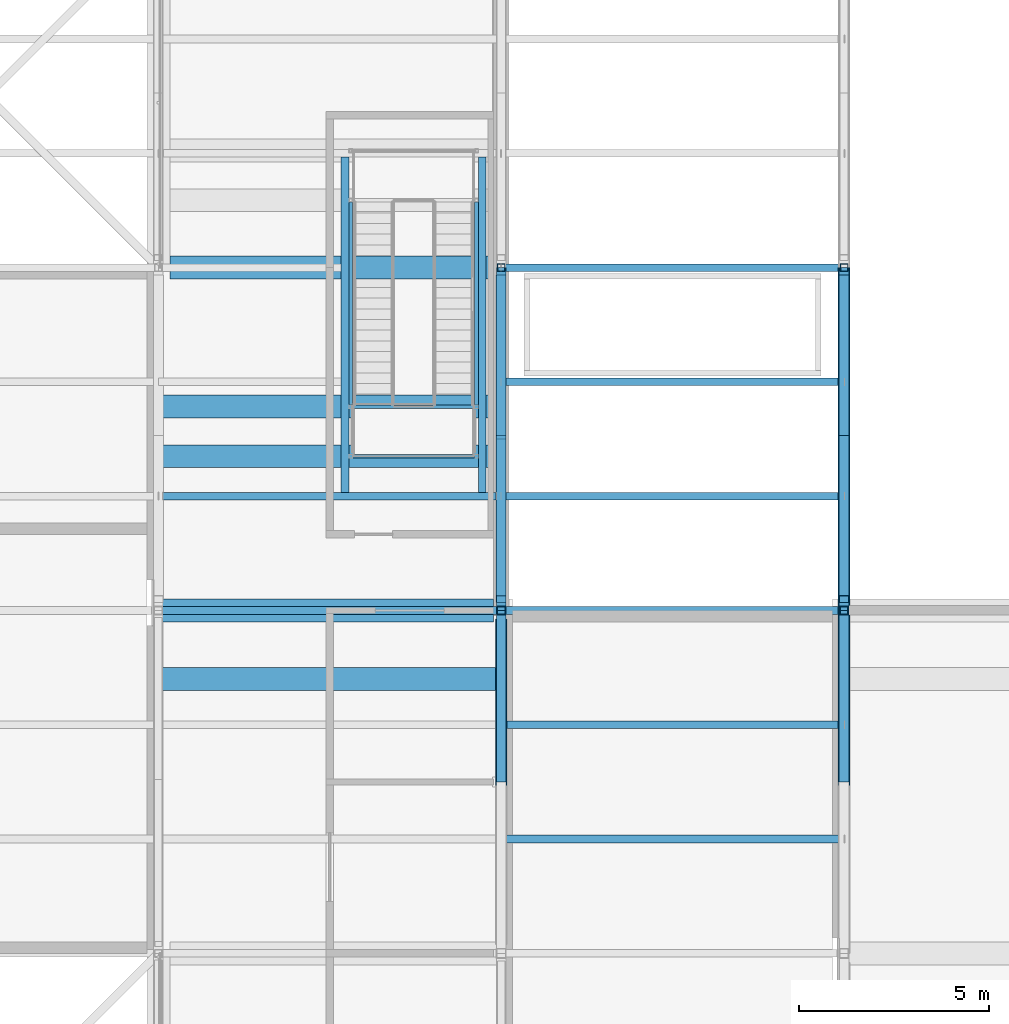
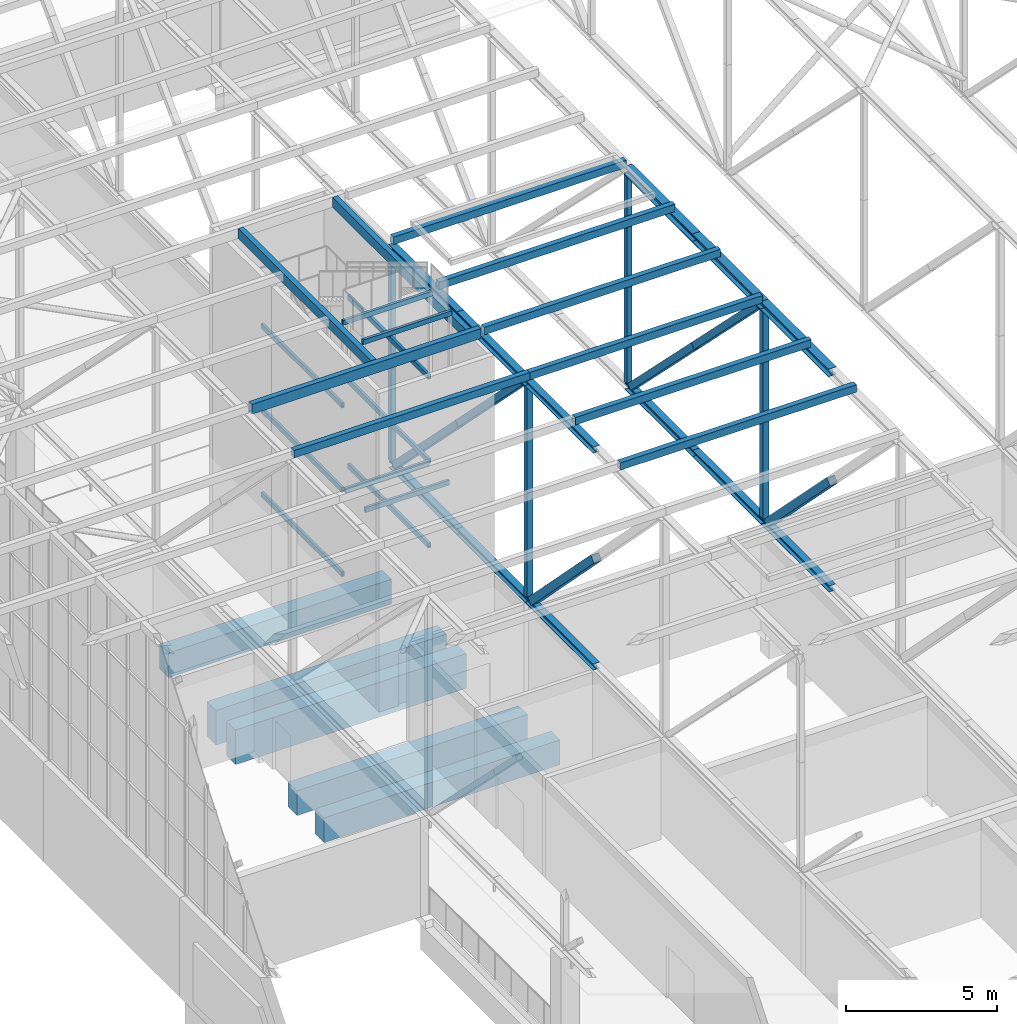
# One storey, part 27 of 646: 36 members, 15 beams.
"""IFC4 building model written with IfcOpenShell, lengths in metres."""

from ifc_helpers import new_model, si_unit, direction, frame, origin, origin_2d, place, context, subcontext, project, spatial, rectangle, hollow_rectangle, i_section, extrude, material, material_profile, profile_set, type_object, element, save


model = new_model("IFC4")

# Units and contexts
model_context = context("Model", 3, precision=1e-05, world=origin(), true_north=direction((0.0, 1.0)))
body_context = subcontext(model_context, "Body", "Model", "MODEL_VIEW")
ifc_project = project(units=[si_unit("LENGTHUNIT", "METRE"), si_unit("AREAUNIT", "SQUARE_METRE"), si_unit("VOLUMEUNIT", "CUBIC_METRE"), si_unit("PLANEANGLEUNIT", "RADIAN"), si_unit("MASSUNIT", "GRAM", prefix="KILO")], contexts=[model_context])

# Site, building, storey
site_placement = place(None, origin())
site = spatial("IfcSite", under=ifc_project, at=site_placement, CompositionType="ELEMENT")
building_placement = place(site_placement, origin())
building = spatial("IfcBuilding", under=site, at=building_placement, Name="Silverbay Arena", CompositionType="ELEMENT")
storey_placement = place(building_placement, frame((0.0, 0.0, 33.5)))
storey = spatial("IfcBuildingStorey", under=building, at=storey_placement, Name="L05", CompositionType="ELEMENT", Elevation=33.5)

# Members
ifc_material_1 = material(Name="Steel S355", Category="steel")
ifc_material_profile_1 = material_profile(ifc_material_1, i_section(OverallWidth=0.2587890625, OverallDepth=0.2666015625, WebThickness=0.0126953125, FlangeThickness=0.0205078125, at=origin_2d()), Name="UC 254x254x107")
ifc_profile_set_1 = profile_set([ifc_material_profile_1], Name="Steel S355")
member_type_1 = type_object("IfcMemberType", Name="Long-span bottom chord UC 254x254x107", PredefinedType="CHORD", material=ifc_profile_set_1)
for number, where, z_axis, x_axis, name in (
    (1, (81.0, 63.0, 4.13330078125), (0.0, 1.0, 0.0), (-1.0, 0.0, 0.0), "ROOF TRUSS 10 bottom chord 07a"),
    (2, (81.0, 67.5, 4.13330078125), (0.0, 1.0, 0.0), (-1.0, 0.0, 0.0), "ROOF TRUSS 10 bottom chord 07b"),
):
    element("IfcMember", number, at=place(storey_placement, frame(where, z_axis=z_axis, x_axis=x_axis)), inside=storey, type_object=member_type_1, Name=name, PredefinedType="CHORD", context=body_context, shape_type="SweptSolid", body=[
        extrude(i_section(OverallWidth=0.2587890625, OverallDepth=0.2666015625, WebThickness=0.0126953125, FlangeThickness=0.0205078125, at=origin_2d()), origin(), (0.0, 0.0, 1.0), 4.5),
    ])
ifc_material_2 = material(Name="Steel S355", Category="steel")
ifc_material_profile_2 = material_profile(ifc_material_2, i_section(OverallWidth=0.254638671875, OverallDepth=0.254150390625, WebThickness=0.008544921875, FlangeThickness=0.01416015625, at=origin_2d()), Name="UC 254x254x73")
ifc_profile_set_2 = profile_set([ifc_material_profile_2], Name="Steel S355")
member_type_2 = type_object("IfcMemberType", Name="Long-span bottom chord UC 254x254x73", PredefinedType="CHORD", material=ifc_profile_set_2)
member_1_placement = place(storey_placement, frame((81.0, 58.5, 4.126953125), z_axis=(0.0, 1.0, 0.0), x_axis=(-1.0, 0.0, 0.0)))
element("IfcMember", 3, at=member_1_placement, inside=storey, type_object=member_type_2, Name="ROOF TRUSS 10 bottom chord 06b", PredefinedType="CHORD", context=body_context, shape_type="SweptSolid", body=[
    extrude(i_section(OverallWidth=0.254638671875, OverallDepth=0.254150390625, WebThickness=0.008544921875, FlangeThickness=0.01416015625, at=origin_2d()), origin(), (0.0, 0.0, 1.0), 4.5),
])
ifc_material_3 = material(Name="Steel S355", Category="steel")
ifc_material_profile_3 = material_profile(ifc_material_3, i_section(OverallWidth=0.307373046875, OverallDepth=0.314453125, WebThickness=0.011962890625, FlangeThickness=0.018798828125, at=origin_2d()), Name="UC 305x305x118")
ifc_profile_set_3 = profile_set([ifc_material_profile_3], Name="Steel S355")
member_type_3 = type_object("IfcMemberType", Name="Long-span top chord UC 305x305x118", PredefinedType="CHORD", material=ifc_profile_set_3)
member_2_placement = place(storey_placement, frame((81.0, 58.5, 12.8427734375), z_axis=(0.0, 1.0, 0.0), x_axis=(-1.0, 0.0, 0.0)))
element("IfcMember", 4, at=member_2_placement, inside=storey, type_object=member_type_3, Name="ROOF TRUSS 10 top chord 06b", PredefinedType="CHORD", context=body_context, shape_type="SweptSolid", body=[
    extrude(i_section(OverallWidth=0.307373046875, OverallDepth=0.314453125, WebThickness=0.011962890625, FlangeThickness=0.018798828125, at=origin_2d()), origin(), (0.0, 0.0, 1.0), 4.5),
])
ifc_material_4 = material(Name="Steel S355", Category="steel")
ifc_material_profile_4 = material_profile(ifc_material_4, i_section(OverallWidth=0.311279296875, OverallDepth=0.3271484375, WebThickness=0.015869140625, FlangeThickness=0.02490234375, at=origin_2d()), Name="UC 305x305x158")
ifc_profile_set_4 = profile_set([ifc_material_profile_4], Name="Steel S355")
member_type_4 = type_object("IfcMemberType", Name="Long-span top chord UC 305x305x158", PredefinedType="CHORD", material=ifc_profile_set_4)
for number, where, z_axis, x_axis, name in (
    (5, (81.0, 63.0, 12.83642578125), (0.0, 1.0, 0.0), (-1.0, 0.0, 0.0), "ROOF TRUSS 10 top chord 07a"),
    (6, (81.0, 67.5, 12.83642578125), (0.0, 1.0, 0.0), (-1.0, 0.0, 0.0), "ROOF TRUSS 10 top chord 07b"),
):
    element("IfcMember", number, at=place(storey_placement, frame(where, z_axis=z_axis, x_axis=x_axis)), inside=storey, type_object=member_type_4, Name=name, PredefinedType="CHORD", context=body_context, shape_type="SweptSolid", body=[
        extrude(i_section(OverallWidth=0.311279296875, OverallDepth=0.3271484375, WebThickness=0.015869140625, FlangeThickness=0.02490234375, at=origin_2d()), origin(), (0.0, 0.0, 1.0), 4.5),
    ])
ifc_material_5 = material(Name="Steel S355", Category="steel")
ifc_material_profile_5 = material_profile(ifc_material_5, hollow_rectangle(XDim=0.260009765625, YDim=0.260009765625, WallThickness=0.010009765625, at=origin_2d()), Name="SHS 260x260x10")
ifc_profile_set_5 = profile_set([ifc_material_profile_5], Name="Steel S355")
member_type_5 = type_object("IfcMemberType", Name="Long-span truss diagonal SHS 260x260x10", PredefinedType="BRACE", material=ifc_profile_set_5)
for number, where, z_axis, x_axis, name in (
    (7, (81.0, 63.300537109375, 12.6728515625), (0.0, 0.707209440454, -0.707004107012), (-1.0, 0.0, 0.0), "ROOF TRUSS 10 diagonal 07a"),
    (8, (81.0, 67.5048828125, 8.4697265625), (0.0, 0.707229966942, -0.706983573967), (-1.0, 0.0, 0.0), "ROOF TRUSS 10 diagonal 07b"),
):
    element("IfcMember", number, at=place(storey_placement, frame(where, z_axis=z_axis, x_axis=x_axis)), inside=storey, type_object=member_type_5, Name=name, PredefinedType="BRACE", context=body_context, shape_type="SweptSolid", body=[
        extrude(hollow_rectangle(XDim=0.260009765625, YDim=0.260009765625, WallThickness=0.010009765625, at=origin_2d()), origin(), (0.0, 0.0, 1.0), 5.945068359375),
    ])
ifc_material_6 = material(Name="Steel S355", Category="steel")
ifc_material_profile_6 = material_profile(ifc_material_6, hollow_rectangle(XDim=0.300048828125, YDim=0.300048828125, WallThickness=0.012451171875, at=origin_2d()), Name="SHS 300x300x12.5")
ifc_profile_set_6 = profile_set([ifc_material_profile_6], Name="Steel S355")
member_type_6 = type_object("IfcMemberType", Name="Long-span truss diagonal SHS 300x300x12.5", PredefinedType="BRACE", material=ifc_profile_set_6)
member_3_placement = place(storey_placement, frame((81.0, 58.507568359375, 8.4697265625), z_axis=(0.0, 0.702663144444, -0.711522666849), x_axis=(-1.0, 0.0, 0.0)))
element("IfcMember", 9, at=member_3_placement, inside=storey, type_object=member_type_6, Name="ROOF TRUSS 10 diagonal 06b", PredefinedType="BRACE", context=body_context, shape_type="SweptSolid", body=[
    extrude(hollow_rectangle(XDim=0.300048828125, YDim=0.300048828125, WallThickness=0.012451171875, at=origin_2d()), origin(), (0.0, 0.0, 1.0), 5.9248046875),
])
ifc_material_7 = material(Name="Steel S355", Category="steel")
ifc_material_profile_7 = material_profile(ifc_material_7, hollow_rectangle(XDim=0.199951171875, YDim=0.199951171875, WallThickness=0.008056640625, at=origin_2d()), Name="SHS 200x200x8")
ifc_profile_set_7 = profile_set([ifc_material_profile_7], Name="Steel S355")
member_type_7 = type_object("IfcMemberType", Name="Long-span truss vertical SHS 200x200x8", PredefinedType="STRUT", material=ifc_profile_set_7)
for number, where, z_axis, x_axis, name in (
    (10, (81.0, 72.0, 4.2666015625), (0.0, 0.0, 1.0), (1.0, 0.0, 0.0), "ROOF TRUSS 10 vertical 08a"),
    (11, (81.0, 72.0, 8.4697265625), (0.0, 0.0, 1.0), (1.0, 0.0, 0.0), "ROOF TRUSS 10 vertical 08b"),
):
    element("IfcMember", number, at=place(storey_placement, frame(where, z_axis=z_axis, x_axis=x_axis)), inside=storey, type_object=member_type_7, Name=name, PredefinedType="STRUT", context=body_context, shape_type="SweptSolid", body=[
        extrude(hollow_rectangle(XDim=0.199951171875, YDim=0.199951171875, WallThickness=0.008056640625, at=origin_2d()), origin(), (0.0, 0.0, 1.0), 4.203125),
    ])
ifc_material_8 = material(Name="Steel S355", Category="steel")
ifc_material_profile_8 = material_profile(ifc_material_8, hollow_rectangle(XDim=0.219970703125, YDim=0.219970703125, WallThickness=0.008056640625, at=origin_2d()), Name="SHS 220x220x8")
ifc_profile_set_8 = profile_set([ifc_material_profile_8], Name="Steel S355")
member_type_8 = type_object("IfcMemberType", Name="Long-span truss vertical SHS 220x220x8", PredefinedType="STRUT", material=ifc_profile_set_8)
for number, where, z_axis, x_axis, name in (
    (12, (81.0, 63.0, 4.2666015625), (0.0, 0.0, 1.0), (1.0, 0.0, 0.0), "ROOF TRUSS 10 vertical 07a"),
    (13, (81.0, 63.0, 8.4697265625), (0.0, 0.0, 1.0), (1.0, 0.0, 0.0), "ROOF TRUSS 10 vertical 07b"),
):
    element("IfcMember", number, at=place(storey_placement, frame(where, z_axis=z_axis, x_axis=x_axis)), inside=storey, type_object=member_type_8, Name=name, PredefinedType="STRUT", context=body_context, shape_type="SweptSolid", body=[
        extrude(hollow_rectangle(XDim=0.219970703125, YDim=0.219970703125, WallThickness=0.008056640625, at=origin_2d()), origin(), (0.0, 0.0, 1.0), 4.203125),
    ])
ifc_material_9 = material(Name="Steel S355", Category="steel")
ifc_material_profile_9 = material_profile(ifc_material_9, i_section(OverallWidth=0.254638671875, OverallDepth=0.254150390625, WebThickness=0.008544921875, FlangeThickness=0.01416015625, at=origin_2d()), Name="UC 254x254x73")
ifc_profile_set_9 = profile_set([ifc_material_profile_9], Name="Steel S355")
member_type_9 = type_object("IfcMemberType", Name="Medium-span bottom chord UC 254x254x73", PredefinedType="CHORD", material=ifc_profile_set_9)
for number, where, z_axis, x_axis, name in (
    (14, (72.0, 58.5, 4.126953125), (0.0, 1.0, 0.0), (-1.0, 0.0, 0.0), "ROOF TRUSS 9 bottom chord 06b"),
    (15, (72.0, 63.0, 4.126953125), (0.0, 1.0, 0.0), (-1.0, 0.0, 0.0), "ROOF TRUSS 9 bottom chord 07a"),
    (16, (72.0, 67.5, 4.126953125), (0.0, 1.0, 0.0), (-1.0, 0.0, 0.0), "ROOF TRUSS 9 bottom chord 07b"),
):
    element("IfcMember", number, at=place(storey_placement, frame(where, z_axis=z_axis, x_axis=x_axis)), inside=storey, type_object=member_type_9, Name=name, PredefinedType="CHORD", context=body_context, shape_type="SweptSolid", body=[
        extrude(i_section(OverallWidth=0.254638671875, OverallDepth=0.254150390625, WebThickness=0.008544921875, FlangeThickness=0.01416015625, at=origin_2d()), origin(), (0.0, 0.0, 1.0), 4.5),
    ])
ifc_material_10 = material(Name="Steel S355", Category="steel")
ifc_material_profile_10 = material_profile(ifc_material_10, i_section(OverallWidth=0.2587890625, OverallDepth=0.2666015625, WebThickness=0.0126953125, FlangeThickness=0.0205078125, at=origin_2d()), Name="UC 254x254x107")
ifc_profile_set_10 = profile_set([ifc_material_profile_10], Name="Steel S355")
member_type_10 = type_object("IfcMemberType", Name="Medium-span top chord UC 254x254x107", PredefinedType="CHORD", material=ifc_profile_set_10)
for number, where, z_axis, x_axis, name in (
    (17, (72.0, 63.0, 12.86669921875), (0.0, 1.0, 0.0), (-1.0, 0.0, 0.0), "ROOF TRUSS 9 top chord 07a"),
    (18, (72.0, 67.5, 12.86669921875), (0.0, 1.0, 0.0), (-1.0, 0.0, 0.0), "ROOF TRUSS 9 top chord 07b"),
):
    element("IfcMember", number, at=place(storey_placement, frame(where, z_axis=z_axis, x_axis=x_axis)), inside=storey, type_object=member_type_10, Name=name, PredefinedType="CHORD", context=body_context, shape_type="SweptSolid", body=[
        extrude(i_section(OverallWidth=0.2587890625, OverallDepth=0.2666015625, WebThickness=0.0126953125, FlangeThickness=0.0205078125, at=origin_2d()), origin(), (0.0, 0.0, 1.0), 4.5),
    ])
ifc_material_11 = material(Name="Steel S355", Category="steel")
ifc_material_profile_11 = material_profile(ifc_material_11, i_section(OverallWidth=0.254638671875, OverallDepth=0.254150390625, WebThickness=0.008544921875, FlangeThickness=0.01416015625, at=origin_2d()), Name="UC 254x254x73")
ifc_profile_set_11 = profile_set([ifc_material_profile_11], Name="Steel S355")
member_type_11 = type_object("IfcMemberType", Name="Medium-span top chord UC 254x254x73", PredefinedType="CHORD", material=ifc_profile_set_11)
member_4_placement = place(storey_placement, frame((72.0, 58.5, 12.873046875), z_axis=(0.0, 1.0, 0.0), x_axis=(-1.0, 0.0, 0.0)))
element("IfcMember", 19, at=member_4_placement, inside=storey, type_object=member_type_11, Name="ROOF TRUSS 9 top chord 06b", PredefinedType="CHORD", context=body_context, shape_type="SweptSolid", body=[
    extrude(i_section(OverallWidth=0.254638671875, OverallDepth=0.254150390625, WebThickness=0.008544921875, FlangeThickness=0.01416015625, at=origin_2d()), origin(), (0.0, 0.0, 1.0), 4.5),
])
ifc_material_12 = material(Name="Steel S355", Category="steel")
ifc_material_profile_12 = material_profile(ifc_material_12, hollow_rectangle(XDim=0.260009765625, YDim=0.260009765625, WallThickness=0.010009765625, at=origin_2d()), Name="SHS 260x260x10")
ifc_profile_set_12 = profile_set([ifc_material_profile_12], Name="Steel S355")
member_type_12 = type_object("IfcMemberType", Name="Medium-span truss diagonal SHS 260x260x10", PredefinedType="BRACE", material=ifc_profile_set_12)
for number, where, z_axis, x_axis, name in (
    (20, (72.0, 63.299560546875, 12.7333984375), (0.0, 0.704218618707, -0.709983194918), (-1.0, 0.0, 0.0), "ROOF TRUSS 9 diagonal 07a"),
    (21, (72.0, 67.5048828125, 8.49365234375), (0.0, 0.704259667026, -0.709942477529), (-1.0, 0.0, 0.0), "ROOF TRUSS 9 diagonal 07b"),
):
    element("IfcMember", number, at=place(storey_placement, frame(where, z_axis=z_axis, x_axis=x_axis)), inside=storey, type_object=member_type_12, Name=name, PredefinedType="BRACE", context=body_context, shape_type="SweptSolid", body=[
        extrude(hollow_rectangle(XDim=0.260009765625, YDim=0.260009765625, WallThickness=0.010009765625, at=origin_2d()), origin(), (0.0, 0.0, 1.0), 5.9716796875),
    ])
ifc_material_13 = material(Name="Steel S355", Category="steel")
ifc_material_profile_13 = material_profile(ifc_material_13, hollow_rectangle(XDim=0.300048828125, YDim=0.300048828125, WallThickness=0.012451171875, at=origin_2d()), Name="SHS 300x300x12.5")
ifc_profile_set_13 = profile_set([ifc_material_profile_13], Name="Steel S355")
member_type_13 = type_object("IfcMemberType", Name="Medium-span truss diagonal SHS 300x300x12.5", PredefinedType="BRACE", material=ifc_profile_set_13)
member_5_placement = place(storey_placement, frame((72.0, 58.507568359375, 8.5), z_axis=(0.0, 0.700176070598, -0.713970216579), x_axis=(-1.0, 0.0, 0.0)))
element("IfcMember", 22, at=member_5_placement, inside=storey, type_object=member_type_13, Name="ROOF TRUSS 9 diagonal 06b", PredefinedType="BRACE", context=body_context, shape_type="SweptSolid", body=[
    extrude(hollow_rectangle(XDim=0.300048828125, YDim=0.300048828125, WallThickness=0.012451171875, at=origin_2d()), origin(), (0.0, 0.0, 1.0), 5.94677734375),
])
ifc_material_14 = material(Name="Steel S355", Category="steel")
ifc_material_profile_14 = material_profile(ifc_material_14, hollow_rectangle(XDim=0.199951171875, YDim=0.199951171875, WallThickness=0.008056640625, at=origin_2d()), Name="SHS 200x200x8")
ifc_profile_set_14 = profile_set([ifc_material_profile_14], Name="Steel S355")
member_type_14 = type_object("IfcMemberType", Name="Medium-span truss vertical SHS 200x200x8", PredefinedType="STRUT", material=ifc_profile_set_14)
member_6_placement = place(storey_placement, frame((72.0, 72.0, 4.254150390625), z_axis=(0.0, 0.0, 1.0), x_axis=(1.0, 0.0, 0.0)))
element("IfcMember", 23, at=member_6_placement, inside=storey, type_object=member_type_14, Name="ROOF TRUSS 9 vertical 08a", PredefinedType="STRUT", context=body_context, shape_type="SweptSolid", body=[
    extrude(hollow_rectangle(XDim=0.199951171875, YDim=0.199951171875, WallThickness=0.008056640625, at=origin_2d()), origin(), (0.0, 0.0, 1.0), 4.239501953125),
])
member_7_placement = place(storey_placement, frame((72.0, 72.0, 8.49365234375), z_axis=(0.0, 0.0, 1.0), x_axis=(1.0, 0.0, 0.0)))
element("IfcMember", 24, at=member_7_placement, inside=storey, type_object=member_type_14, Name="ROOF TRUSS 9 vertical 08b", PredefinedType="STRUT", context=body_context, shape_type="SweptSolid", body=[
    extrude(hollow_rectangle(XDim=0.199951171875, YDim=0.199951171875, WallThickness=0.008056640625, at=origin_2d()), origin(), (0.0, 0.0, 1.0), 4.23974609375),
])
ifc_material_15 = material(Name="Steel S355", Category="steel")
ifc_material_profile_15 = material_profile(ifc_material_15, hollow_rectangle(XDim=0.219970703125, YDim=0.219970703125, WallThickness=0.008056640625, at=origin_2d()), Name="SHS 220x220x8")
ifc_profile_set_15 = profile_set([ifc_material_profile_15], Name="Steel S355")
member_type_15 = type_object("IfcMemberType", Name="Medium-span truss vertical SHS 220x220x8", PredefinedType="STRUT", material=ifc_profile_set_15)
member_8_placement = place(storey_placement, frame((72.0, 63.0, 4.254150390625), z_axis=(0.0, 0.0, 1.0), x_axis=(1.0, 0.0, 0.0)))
element("IfcMember", 25, at=member_8_placement, inside=storey, type_object=member_type_15, Name="ROOF TRUSS 9 vertical 07a", PredefinedType="STRUT", context=body_context, shape_type="SweptSolid", body=[
    extrude(hollow_rectangle(XDim=0.219970703125, YDim=0.219970703125, WallThickness=0.008056640625, at=origin_2d()), origin(), (0.0, 0.0, 1.0), 4.239501953125),
])
member_9_placement = place(storey_placement, frame((72.0, 63.0, 8.49365234375), z_axis=(0.0, 0.0, 1.0), x_axis=(1.0, 0.0, 0.0)))
element("IfcMember", 26, at=member_9_placement, inside=storey, type_object=member_type_15, Name="ROOF TRUSS 9 vertical 07b", PredefinedType="STRUT", context=body_context, shape_type="SweptSolid", body=[
    extrude(hollow_rectangle(XDim=0.219970703125, YDim=0.219970703125, WallThickness=0.008056640625, at=origin_2d()), origin(), (0.0, 0.0, 1.0), 4.23974609375),
])
ifc_material_16 = material(Name="Steel S355", Category="steel")
ifc_material_profile_16 = material_profile(ifc_material_16, hollow_rectangle(XDim=0.199951171875, YDim=0.300048828125, WallThickness=0.00634765625, at=origin_2d()), Name="RHS 300x200x6.3")
ifc_profile_set_16 = profile_set([ifc_material_profile_16], Name="Steel S355")
member_type_16 = type_object("IfcMemberType", Name="Purlin RHS 300x200x6.3", PredefinedType="PURLIN", material=ifc_profile_set_16)
for number, where, z_axis, x_axis, name in (
    (27, (63.0, 63.0, 13.14990234375), (1.0, 0.0, 0.0), (0.0, 1.0, 0.0), "ROOF PURLIN 8-9 line 19"),
    (28, (72.0, 57.0, 13.14990234375), (1.0, 0.0, 0.0), (0.0, 1.0, 0.0), "ROOF PURLIN 9-10 line 17"),
    (29, (72.0, 60.0, 13.14990234375), (1.0, 0.0, 0.0), (0.0, 1.0, 0.0), "ROOF PURLIN 9-10 line 18"),
):
    element("IfcMember", number, at=place(storey_placement, frame(where, z_axis=z_axis, x_axis=x_axis)), inside=storey, type_object=member_type_16, Name=name, PredefinedType="PURLIN", context=body_context, shape_type="SweptSolid", body=[
        extrude(hollow_rectangle(XDim=0.199951171875, YDim=0.300048828125, WallThickness=0.00634765625, at=origin_2d()), origin(), (0.0, 0.0, 1.0), 9.0),
    ])
member_10_placement = place(storey_placement, frame((72.0, 63.0, 13.14990234375), z_axis=(1.0, 0.0, 0.0), x_axis=(0.0, 1.0, 0.0)))
element("IfcMember", 30, at=member_10_placement, inside=storey, type_object=member_type_16, Name="ROOF PURLIN 9-10 line 19", PredefinedType="PURLIN", context=body_context, shape_type="SweptSolid", body=[
    extrude(hollow_rectangle(XDim=0.199951171875, YDim=0.300048828125, WallThickness=0.00634765625, at=origin_2d()), origin(), (0.0, 0.0, 1.0), 8.875),
])
for number, where, z_axis, x_axis, name in (
    (31, (72.0, 66.0, 13.14990234375), (1.0, 0.0, 0.0), (0.0, 1.0, 0.0), "ROOF PURLIN 9-10 line 20"),
    (32, (72.0, 69.0, 13.14990234375), (1.0, 0.0, 0.0), (0.0, 1.0, 0.0), "ROOF PURLIN 9-10 line 21"),
):
    element("IfcMember", number, at=place(storey_placement, frame(where, z_axis=z_axis, x_axis=x_axis)), inside=storey, type_object=member_type_16, Name=name, PredefinedType="PURLIN", context=body_context, shape_type="SweptSolid", body=[
        extrude(hollow_rectangle(XDim=0.199951171875, YDim=0.300048828125, WallThickness=0.00634765625, at=origin_2d()), origin(), (0.0, 0.0, 1.0), 9.0),
    ])
member_11_placement = place(storey_placement, frame((72.0, 72.0, 13.14990234375), z_axis=(1.0, 0.0, 0.0), x_axis=(0.0, 1.0, 0.0)))
element("IfcMember", 33, at=member_11_placement, inside=storey, type_object=member_type_16, Name="ROOF PURLIN 9-10 line 22", PredefinedType="PURLIN", context=body_context, shape_type="SweptSolid", body=[
    extrude(hollow_rectangle(XDim=0.199951171875, YDim=0.300048828125, WallThickness=0.00634765625, at=origin_2d()), origin(), (0.0, 0.0, 1.0), 8.875),
])
ifc_material_17 = material(Name="Steel S355", Category="steel")
ifc_material_profile_17 = material_profile(ifc_material_17, hollow_rectangle(XDim=0.199951171875, YDim=0.39990234375, WallThickness=0.008056640625, at=origin_2d()), Name="RHS 400x200x8")
ifc_profile_set_17 = profile_set([ifc_material_profile_17], Name="Steel S355")
member_type_17 = type_object("IfcMemberType", Name="Purlin RHS 400x200x8", PredefinedType="PURLIN", material=ifc_profile_set_17)
member_12_placement = place(storey_placement, frame((63.127197265625, 66.0, 13.10009765625), z_axis=(1.0, 0.0, 0.0), x_axis=(0.0, 1.0, 0.0)))
element("IfcMember", 34, at=member_12_placement, inside=storey, type_object=member_type_17, Name="ROOF PURLIN 8-9 line 20", PredefinedType="PURLIN", context=body_context, shape_type="SweptSolid", body=[
    extrude(hollow_rectangle(XDim=0.199951171875, YDim=0.39990234375, WallThickness=0.008056640625, at=origin_2d()), origin(), (0.0, 0.0, 1.0), 8.743408203125),
])
for number, where, z_axis, x_axis, name in (
    (35, (67.89990234375, 66.10009765625, 13.10009765625), (0.0, 1.0, 0.0), (-1.0, 0.0, 0.0), "ROOF PURLIN trimmer west of opening RA1"),
    (36, (71.5, 66.10009765625, 13.10009765625), (0.0, 1.0, 0.0), (-1.0, 0.0, 0.0), "ROOF PURLIN trimmer east of opening RA1"),
):
    element("IfcMember", number, at=place(storey_placement, frame(where, z_axis=z_axis, x_axis=x_axis)), inside=storey, type_object=member_type_17, Name=name, PredefinedType="PURLIN", context=body_context, shape_type="SweptSolid", body=[
        extrude(hollow_rectangle(XDim=0.199951171875, YDim=0.39990234375, WallThickness=0.008056640625, at=origin_2d()), origin(), (0.0, 0.0, 1.0), 8.7998046875),
    ])

# Beams
ifc_material_18 = material(Name="Concrete Grade C45", Category="concrete")
ifc_material_profile_18 = material_profile(ifc_material_18, rectangle(XDim=0.60009765625, YDim=1.0, at=origin_2d()), Name="RC 600x1000")
ifc_profile_set_18 = profile_set([ifc_material_profile_18], Name="Concrete Grade C45")
beam_type_1 = type_object("IfcBeamType", Name="RC beam 600x1000", PredefinedType="BEAM", material=ifc_profile_set_18)
beam_1_placement = place(storey_placement, frame((63.0, 61.199951171875, -0.800048828125), z_axis=(1.0, 0.0, 0.0), x_axis=(0.0, 1.0, 0.0)))
element("IfcBeam", 37, at=beam_1_placement, inside=storey, type_object=beam_type_1, Name="Floor beam L05 025", PredefinedType="BEAM", context=body_context, shape_type="SweptSolid", body=[
    extrude(rectangle(XDim=0.60009765625, YDim=1.0, at=origin_2d()), origin(), (0.0, 0.0, 1.0), 9.0),
])
beam_2_placement = place(storey_placement, frame((63.0, 63.0, -0.800048828125), z_axis=(1.0, 0.0, 0.0), x_axis=(0.0, 1.0, 0.0)))
element("IfcBeam", 38, at=beam_2_placement, inside=storey, type_object=beam_type_1, Name="Floor beam L05 029", PredefinedType="BEAM", context=body_context, shape_type="SweptSolid", body=[
    extrude(rectangle(XDim=0.60009765625, YDim=1.0, at=origin_2d()), origin(), (0.0, 0.0, 1.0), 8.800048828125),
])
beam_3_placement = place(storey_placement, frame((63.300048828125, 72.0, -0.800048828125), z_axis=(1.0, 0.0, 0.0), x_axis=(0.0, 1.0, 0.0)))
element("IfcBeam", 39, at=beam_3_placement, inside=storey, type_object=beam_type_1, Name="Floor beam L05 033", PredefinedType="BEAM", context=body_context, shape_type="SweptSolid", body=[
    extrude(rectangle(XDim=0.60009765625, YDim=1.0, at=origin_2d()), origin(), (0.0, 0.0, 1.0), 8.5),
])
ifc_material_19 = material(Name="Concrete Grade C45", Category="concrete")
ifc_material_profile_19 = material_profile(ifc_material_19, rectangle(XDim=0.60009765625, YDim=1.39990234375, at=origin_2d()), Name="RC 600x1400")
ifc_profile_set_19 = profile_set([ifc_material_profile_19], Name="Concrete Grade C45")
beam_type_2 = type_object("IfcBeamType", Name="RC transfer beam 600x1400", PredefinedType="BEAM", material=ifc_profile_set_19)
for number, where, z_axis, x_axis, name in (
    (40, (63.0, 67.050048828125, -1.0), (1.0, 0.0, 0.0), (0.0, 1.0, 0.0), "Stair RA1 L05 to ROOF post transfer beam 1"),
    (41, (63.0, 68.35009765625, -1.0), (1.0, 0.0, 0.0), (0.0, 1.0, 0.0), "Stair RA1 L05 to ROOF post transfer beam 2"),
):
    element("IfcBeam", number, at=place(storey_placement, frame(where, z_axis=z_axis, x_axis=x_axis)), inside=storey, type_object=beam_type_2, Name=name, PredefinedType="BEAM", context=body_context, shape_type="SweptSolid", body=[
        extrude(rectangle(XDim=0.60009765625, YDim=1.39990234375, at=origin_2d()), origin(), (0.0, 0.0, 1.0), 8.800048828125),
    ])
ifc_material_20 = material(Name="Steel S355", Category="steel")
ifc_material_profile_20 = material_profile(ifc_material_20, hollow_rectangle(XDim=0.10009765625, YDim=0.199951171875, WallThickness=0.008056640625, at=origin_2d()), Name="RHS 200x100x8")
ifc_profile_set_20 = profile_set([ifc_material_profile_20], Name="Steel S355")
beam_type_3 = type_object("IfcBeamType", Name="Roof access landing beam RHS 200x100x8", PredefinedType="BEAM", material=ifc_profile_set_20)
for number, where, z_axis, x_axis, name in (
    (42, (68.10009765625, 67.050048828125, 6.6201171875), (1.0, 0.0, 0.0), (0.0, 1.0, 0.0), "Stair RA1 L05 to ROOF landing 2 beam a"),
    (43, (68.10009765625, 68.35009765625, 6.6201171875), (1.0, 0.0, 0.0), (0.0, 1.0, 0.0), "Stair RA1 L05 to ROOF landing 2 beam b"),
):
    element("IfcBeam", number, at=place(storey_placement, frame(where, z_axis=z_axis, x_axis=x_axis)), inside=storey, type_object=beam_type_3, Name=name, PredefinedType="BEAM", context=body_context, shape_type="SweptSolid", body=[
        extrude(hollow_rectangle(XDim=0.10009765625, YDim=0.199951171875, WallThickness=0.008056640625, at=origin_2d()), origin(), (0.0, 0.0, 1.0), 3.199951171875),
    ])
for number, where, z_axis, x_axis, name in (
    (44, (68.0, 67.050048828125, 13.419921875), (1.0, 0.0, 0.0), (0.0, 1.0, 0.0), "Stair RA1 L05 to ROOF landing 4 beam a"),
    (45, (68.0, 68.35009765625, 13.419921875), (1.0, 0.0, 0.0), (0.0, 1.0, 0.0), "Stair RA1 L05 to ROOF landing 4 beam b"),
):
    element("IfcBeam", number, at=place(storey_placement, frame(where, z_axis=z_axis, x_axis=x_axis)), inside=storey, type_object=beam_type_3, Name=name, PredefinedType="BEAM", context=body_context, shape_type="SweptSolid", body=[
        extrude(hollow_rectangle(XDim=0.10009765625, YDim=0.199951171875, WallThickness=0.008056640625, at=origin_2d()), origin(), (0.0, 0.0, 1.0), 3.39990234375),
    ])
ifc_material_21 = material(Name="Steel S355", Category="steel")
ifc_material_profile_21 = material_profile(ifc_material_21, hollow_rectangle(XDim=0.10009765625, YDim=0.199951171875, WallThickness=0.008056640625, at=origin_2d()), Name="RHS 200x100x8")
ifc_profile_set_21 = profile_set([ifc_material_profile_21], Name="Steel S355")
beam_type_4 = type_object("IfcBeamType", Name="Roof access side tie RHS 200x100x8", PredefinedType="BEAM", material=ifc_profile_set_21)
for number, where, z_axis, x_axis, name in (
    (46, (68.050048828125, 68.39990234375, 3.219970703125), (0.0, 1.0, 0.0), (-1.0, 0.0, 0.0), "Stair RA1 L05 to ROOF side tie 1W"),
    (47, (71.35009765625, 68.39990234375, 3.219970703125), (0.0, 1.0, 0.0), (-1.0, 0.0, 0.0), "Stair RA1 L05 to ROOF side tie 1E"),
    (48, (68.050048828125, 68.39990234375, 6.6201171875), (0.0, 1.0, 0.0), (-1.0, 0.0, 0.0), "Stair RA1 L05 to ROOF side tie 2W"),
    (49, (71.35009765625, 68.39990234375, 6.6201171875), (0.0, 1.0, 0.0), (-1.0, 0.0, 0.0), "Stair RA1 L05 to ROOF side tie 2E"),
    (50, (68.050048828125, 68.39990234375, 10.02001953125), (0.0, 1.0, 0.0), (-1.0, 0.0, 0.0), "Stair RA1 L05 to ROOF side tie 3W"),
    (51, (71.35009765625, 68.39990234375, 10.02001953125), (0.0, 1.0, 0.0), (-1.0, 0.0, 0.0), "Stair RA1 L05 to ROOF side tie 3E"),
):
    element("IfcBeam", number, at=place(storey_placement, frame(where, z_axis=z_axis, x_axis=x_axis)), inside=storey, type_object=beam_type_4, Name=name, PredefinedType="BEAM", context=body_context, shape_type="SweptSolid", body=[
        extrude(hollow_rectangle(XDim=0.10009765625, YDim=0.199951171875, WallThickness=0.008056640625, at=origin_2d()), origin(), (0.0, 0.0, 1.0), 5.320068359375),
    ])

save(model, "model.ifc")
